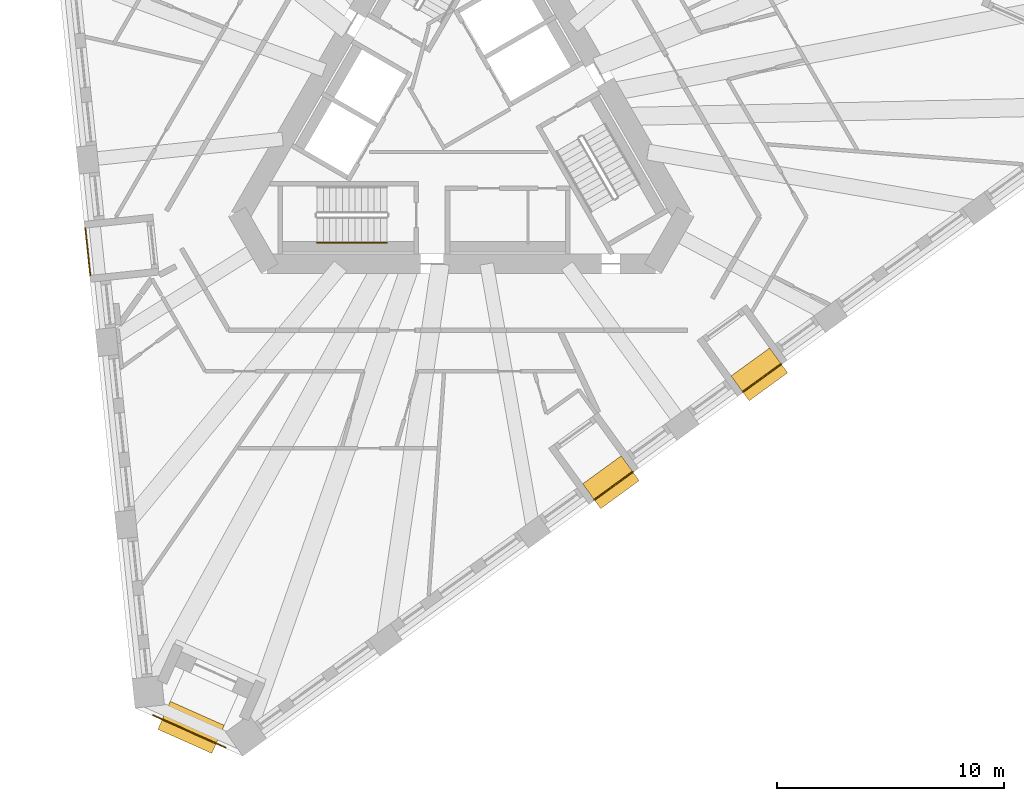
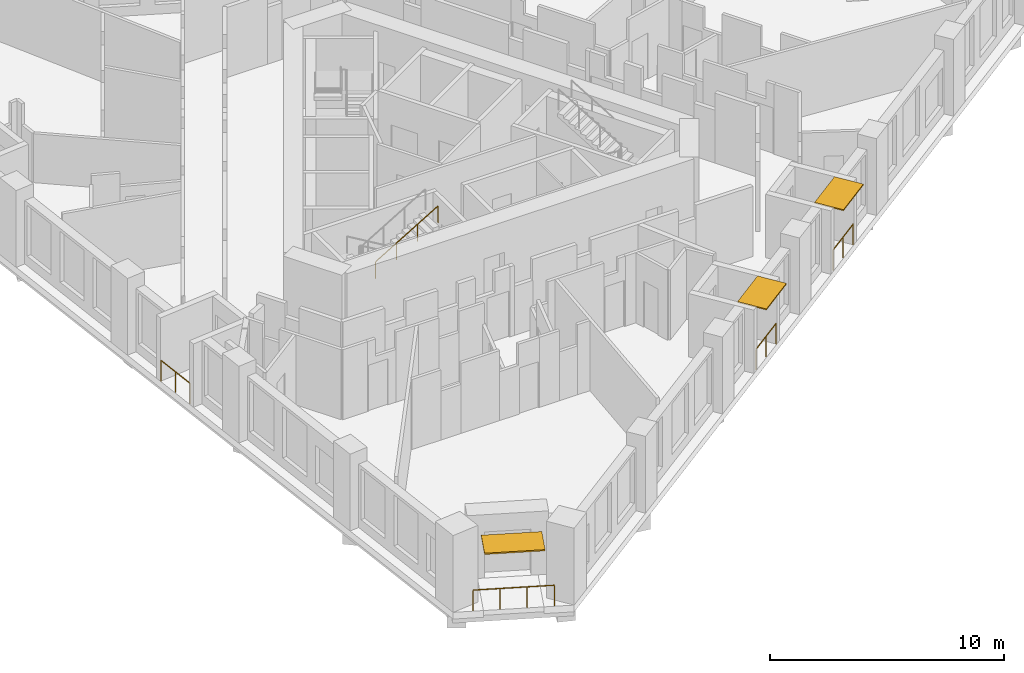
# One storey, part 10 of 14: 5 railings, 3 shading devices.
"""IFC4 building model written with IfcOpenShell, lengths in metres."""

from ifc_helpers import new_model, si_unit, direction, frame, origin, origin_2d, place, context, subcontext, project, spatial, rectangle, circle, extrude, material, layer, layer_set, type_object, element, save


model = new_model("IFC4")

# Units and contexts
model_context = context("Model", 3, precision=1e-05, world=origin(), true_north=direction((0.0, 1.0)))
body_context = subcontext(model_context, "Body", "Model", "MODEL_VIEW")
ifc_project = project(units=[si_unit("LENGTHUNIT", "METRE"), si_unit("AREAUNIT", "SQUARE_METRE"), si_unit("VOLUMEUNIT", "CUBIC_METRE"), si_unit("PLANEANGLEUNIT", "RADIAN"), si_unit("MASSUNIT", "GRAM", prefix="KILO")], contexts=[model_context])

# Site, building, storey
site_placement = place(None, origin())
site = spatial("IfcSite", under=ifc_project, at=site_placement, CompositionType="ELEMENT")
building_placement = place(site_placement, origin())
building = spatial("IfcBuilding", under=site, at=building_placement, Name="Tramontana Tower", CompositionType="ELEMENT")
storey_placement = place(building_placement, frame((0.0, 0.0, 174.800048828125)))
storey = spatial("IfcBuildingStorey", under=building, at=storey_placement, Name="L40", CompositionType="ELEMENT", Elevation=174.800048828125)

# Railings
ifc_material_1 = material(Name="Laminated glass balustrade", Category="glass")
railing_type_1 = type_object("IfcRailingType", Name="GD1 Loggia glass balustrade 1100", PredefinedType="BALUSTRADE", material=ifc_material_1)
railing_1_placement = place(storey_placement, frame((-16.56396484375, -4.751708984375, 0.0)))
element("IfcRailing", 1, at=railing_1_placement, inside=storey, type_object=railing_type_1, Name="Loggia balustrade L40 G4S0.10", PredefinedType="BALUSTRADE", context=body_context, shape_type="SweptSolid", body=[
    extrude(circle(Radius=0.02392578125, at=origin_2d()), frame((0.0, 0.0, 1.076171875), z_axis=(0.104454180193, -0.994529700029, 0.0), x_axis=(0.994529700029, 0.104454180193, 0.0)), (0.0, 0.0, 1.0), 2.09423828125),
    extrude(circle(Radius=0.02099609375, at=origin_2d()), origin(), (0.0, 0.0, 1.0), 1.052001953125),
    extrude(circle(Radius=0.02099609375, at=origin_2d()), frame((0.109375, -1.04150390625, 0.0)), (0.0, 0.0, 1.0), 1.052001953125),
    extrude(circle(Radius=0.02099609375, at=origin_2d()), frame((0.21875, -2.082763671875, 0.0)), (0.0, 0.0, 1.0), 1.052001953125),
])
for number, where, name in (
    (2, (5.85791015625, -16.719970703125, 0.0), "Loggia balustrade L40 G4S1.7"),
    (3, (12.397216796875, -11.968994140625, 0.0), "Loggia balustrade L40 G4S1.10"),
):
    element("IfcRailing", number, at=place(storey_placement, frame(where)), inside=storey, type_object=railing_type_1, Name=name, PredefinedType="BALUSTRADE", context=body_context, shape_type="SweptSolid", body=[
        extrude(circle(Radius=0.02392578125, at=origin_2d()), frame((0.0, 0.0, 1.076171875), z_axis=(0.809028366311, 0.587769599847, 0.0), x_axis=(-0.587769599847, 0.809028366311, 0.0)), (0.0, 0.0, 1.0), 2.09423828125),
        extrude(circle(Radius=0.02099609375, at=origin_2d()), origin(), (0.0, 0.0, 1.0), 1.052001953125),
        extrude(circle(Radius=0.02099609375, at=origin_2d()), frame((0.84716796875, 0.615478515625, 0.0)), (0.0, 0.0, 1.0), 1.052001953125),
        extrude(circle(Radius=0.02099609375, at=origin_2d()), frame((1.6943359375, 1.23095703125, 0.0)), (0.0, 0.0, 1.0), 1.052001953125),
    ])
railing_2_placement = place(storey_placement, frame((-10.387939453125, -27.634033203125, 0.0)))
element("IfcRailing", 4, at=railing_2_placement, inside=storey, type_object=railing_type_1, Name="Corner loggia balustrade L40 K41", PredefinedType="BALUSTRADE", context=body_context, shape_type="SweptSolid", body=[
    extrude(circle(Radius=0.02392578125, at=origin_2d()), frame((0.0, 0.0, 1.076171875), z_axis=(-0.913538066796, 0.406753242783, 0.0), x_axis=(-0.406753242783, -0.913538066796, 0.0)), (0.0, 0.0, 1.0), 3.499755859375),
    extrude(circle(Radius=0.02099609375, at=origin_2d()), origin(), (0.0, 0.0, 1.0), 1.052001953125),
    extrude(circle(Radius=0.02099609375, at=origin_2d()), frame((-1.065673828125, 0.474609375, 0.0)), (0.0, 0.0, 1.0), 1.052001953125),
    extrude(circle(Radius=0.02099609375, at=origin_2d()), frame((-2.131591796875, 0.948974609375, 0.0)), (0.0, 0.0, 1.0), 1.052001953125),
    extrude(circle(Radius=0.02099609375, at=origin_2d()), frame((-3.197265625, 1.423583984375, 0.0)), (0.0, 0.0, 1.0), 1.052001953125),
])

# Shading devices
ifc_material_2 = material(Name="Precast concrete 60 MPa", Category="concrete")
ifc_layer_1 = layer(ifc_material_2, 0.06005859375)
ifc_layer_set_1 = layer_set([ifc_layer_1], Name="SS1 Stone sunshade blade 60")
shading_device_type_1 = type_object("IfcShadingDeviceType", Name="SS1 Stone sunshade blade 60", PredefinedType="USERDEFINED", material=ifc_layer_set_1)
for number, where, z_axis, x_axis, name in (
    (5, (6.590576171875, -15.94677734375, 3.239990234375), (0.0, 0.0, 1.0), (0.809016994375, 0.587785252292, 0.0), "Sunshade L40 G4S1.7"),
    (6, (13.129638671875, -11.19580078125, 3.239990234375), (0.0, 0.0, 1.0), (0.809016994375, 0.587785252292, 0.0), "Sunshade L40 G4S1.10"),
):
    element("IfcShadingDevice", number, at=place(storey_placement, frame(where, z_axis=z_axis, x_axis=x_axis)), inside=storey, type_object=shading_device_type_1, Name=name, ObjectType="SUNSHADE", PredefinedType="USERDEFINED", context=body_context, shape_type="SweptSolid", body=[
        extrude(rectangle(XDim=2.09423828125, YDim=1.35009765625, at=origin_2d()), origin(), (0.0, 0.0, 1.0), 0.06005859375),
    ])
ifc_material_3 = material(Name="Precast concrete 60 MPa", Category="concrete")
ifc_layer_2 = layer(ifc_material_3, 0.070068359375)
ifc_layer_set_2 = layer_set([ifc_layer_2], Name="SS2 Stone sunshade blade 70")
shading_device_type_2 = type_object("IfcShadingDeviceType", Name="SS2 Stone sunshade blade 70", PredefinedType="USERDEFINED", material=ifc_layer_set_2)
shading_device_placement = place(storey_placement, frame((-11.9072265625, -26.744140625, 3.22998046875), z_axis=(0.0, 0.0, 1.0), x_axis=(-0.913545457643, 0.406736643076, 0.0)))
element("IfcShadingDevice", 7, at=shading_device_placement, inside=storey, type_object=shading_device_type_2, Name="Corner sunshade L40 K41", ObjectType="SUNSHADE", PredefinedType="USERDEFINED", context=body_context, shape_type="SweptSolid", body=[
    extrude(rectangle(XDim=2.60009765625, YDim=1.35009765625, at=origin_2d()), origin(), (0.0, 0.0, 1.0), 0.070068359375),
])

# Railing
ifc_material_4 = material(Name="Painted steel", Category="steel")
railing_type_2 = type_object("IfcRailingType", Name="STAIR HANDRAIL 900", PredefinedType="HANDRAIL", material=ifc_material_4)
railing_3_placement = place(storey_placement, frame((-6.360107421875, -5.39990234375, 2.16650390625)))
element("IfcRailing", 8, at=railing_3_placement, inside=storey, type_object=railing_type_2, Name="L40 ST2 stair handrail 2", PredefinedType="HANDRAIL", context=body_context, shape_type="SweptSolid", body=[
    extrude(circle(Radius=0.02392578125, at=origin_2d()), frame((0.0, 0.0, 0.8759765625), z_axis=(0.85927862911, 0.0, 0.511507807912), x_axis=(0.0, 1.0, 0.0)), (0.0, 0.0, 1.0), 3.58447265625),
    extrude(circle(Radius=0.02099609375, at=origin_2d()), origin(), (0.0, 0.0, 1.0), 0.851806640625),
    extrude(circle(Radius=0.02099609375, at=origin_2d()), frame((1.026611328125, 0.0, 0.611083984375)), (0.0, 0.0, 1.0), 0.851806640625),
    extrude(circle(Radius=0.02099609375, at=origin_2d()), frame((2.053466796875, 0.0, 1.222412109375)), (0.0, 0.0, 1.0), 0.851806640625),
    extrude(circle(Radius=0.02099609375, at=origin_2d()), frame((3.080078125, 0.0, 1.83349609375)), (0.0, 0.0, 1.0), 0.851806640625),
])

save(model, "model.ifc")
